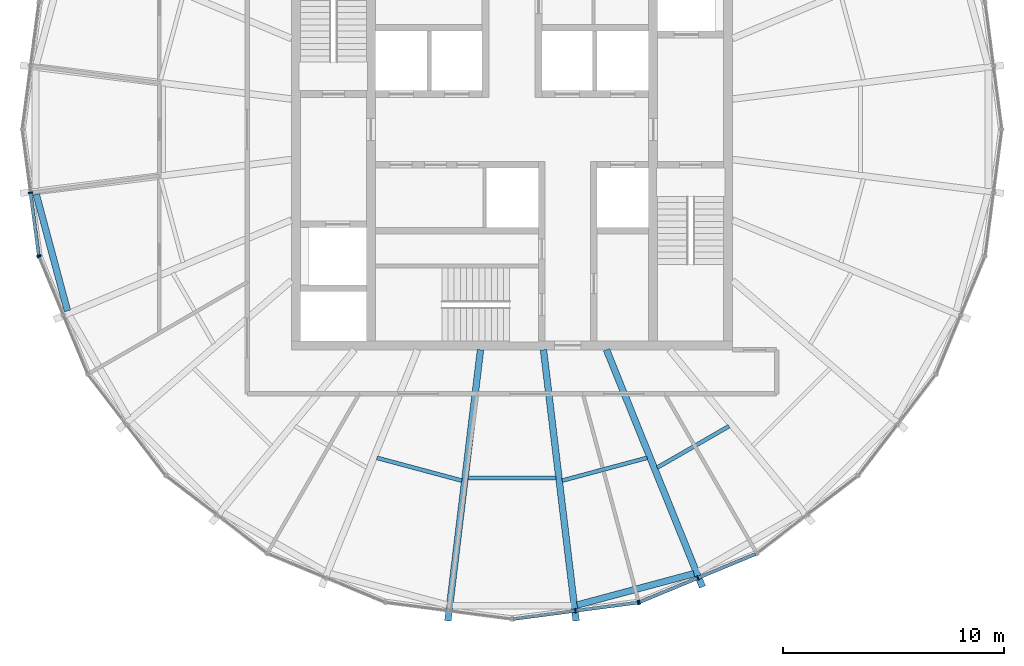
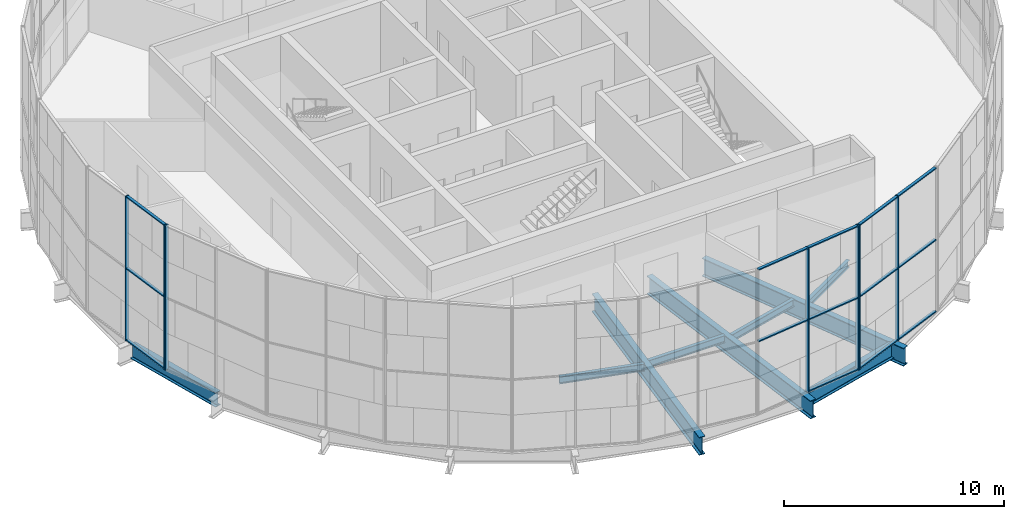
# One storey, part 2 of 19: 21 members, 9 beams, 4 elements without a shape of their own.
"""IFC4 building model written with IfcOpenShell, lengths in metres."""

import ifcopenshell
import ifcopenshell.guid

model = None  # the IFC model being written
_history = None  # IfcOwnerHistory: only IFC2X3 demands one
_inside = {}  # id of a spatial element -> (the spatial element, [elements in it])
_under = {}  # id of a project, library or spatial element -> (it, [spatial elements below it])
_declared = {}  # id of a project -> (the project, [libraries it declares])
_typed = {}  # id of a type object -> (the type object, [elements of that type])
_made_of = {}  # id of a material, layer set ... -> (it, [elements and type objects made of it])


def new_model(schema):
    """Start an empty IFC model of exactly this schema.

    Asked for "IFC4X3", IfcOpenShell would pick the latest addendum, in which some entities
    have other attributes; the version numbers below select the first issue.
    IFC2X3 requires an IfcOwnerHistory on every rooted entity: one is made here for all.
    """
    global model, _history
    if schema == "IFC4X3":
        model = ifcopenshell.file(schema_version=(4, 3, 0, 0))
    else:
        model = ifcopenshell.file(schema=schema)
    _inside.clear()
    _under.clear()
    _declared.clear()
    _typed.clear()
    _made_of.clear()
    _history = None
    if model.schema == "IFC2X3":
        org = make("IfcOrganization", Name="unknown")
        user = make(
            "IfcPersonAndOrganization",
            ThePerson=make("IfcPerson", FamilyName="unknown"),
            TheOrganization=org,
        )
        app = make(
            "IfcApplication",
            ApplicationDeveloper=org,
            Version="unknown",
            ApplicationFullName="unknown",
            ApplicationIdentifier="unknown",
        )
        _history = make(
            "IfcOwnerHistory",
            OwningUser=user,
            OwningApplication=app,
            ChangeAction="ADDED",
            CreationDate=0,
        )
    return model


def make(cls, **values):
    """One entity of the class cls with the attributes given. An attribute that is None is left unset."""
    return model.create_entity(
        cls, **{name: value for name, value in values.items() if value is not None}
    )


def rooted(cls, **values):
    """An entity with a GlobalId (a new one), such as an element, a storey or a relation."""
    return make(cls, GlobalId=ifcopenshell.guid.new(), OwnerHistory=_history, **values)


def si_unit(unit_type, name, prefix=None):
    """IfcSIUnit, for example si_unit("LENGTHUNIT", "METRE", prefix="MILLI")."""
    return make("IfcSIUnit", UnitType=unit_type, Prefix=prefix, Name=name)


def assignment(units):
    """IfcUnitAssignment: the units of a project."""
    return None if units is None else make("IfcUnitAssignment", Units=units)


def point(xyz):
    """IfcCartesianPoint."""
    return None if xyz is None else make("IfcCartesianPoint", Coordinates=xyz)


def direction(xyz):
    """IfcDirection."""
    return None if xyz is None else make("IfcDirection", DirectionRatios=xyz)


def frame(location, z_axis=None, x_axis=None):
    """IfcAxis2Placement3D, a coordinate frame: its origin and axes. An axis left out is left unset."""
    return make(
        "IfcAxis2Placement3D",
        Location=point(location),
        Axis=direction(z_axis),
        RefDirection=direction(x_axis),
    )


def frame_2d(location, x_axis=None):
    """IfcAxis2Placement2D, a coordinate frame in the plane: its origin and x axis."""
    return make(
        "IfcAxis2Placement2D", Location=point(location), RefDirection=direction(x_axis)
    )


def origin():
    """The frame at (0, 0, 0) with its axes left unset."""
    return frame((0.0, 0.0, 0.0))


def origin_2d():
    """The frame at (0, 0) in the plane with its x axis left unset."""
    return frame_2d((0.0, 0.0))


def place(relative_to, where):
    """IfcLocalPlacement: puts the frame where relative to a parent placement (None: the world)."""
    return make(
        "IfcLocalPlacement", PlacementRelTo=relative_to, RelativePlacement=where
    )


def context(
    kind, dimensions, precision=None, world=None, true_north=None, identifier=None
):
    """IfcGeometricRepresentationContext, for example the 3D "Model" context."""
    return make(
        "IfcGeometricRepresentationContext",
        ContextIdentifier=identifier,
        ContextType=kind,
        CoordinateSpaceDimension=dimensions,
        Precision=precision,
        WorldCoordinateSystem=world,
        TrueNorth=true_north,
    )


def subcontext(parent, identifier, kind, view, scale=None):
    """IfcGeometricRepresentationSubContext, for example "Body" below "Model"."""
    return make(
        "IfcGeometricRepresentationSubContext",
        ContextIdentifier=identifier,
        ContextType=kind,
        ParentContext=parent,
        TargetScale=scale,
        TargetView=view,
    )


def project(units=None, contexts=None):
    """IfcProject with its units and contexts."""
    return rooted(
        "IfcProject",
        Name="project",
        RepresentationContexts=contexts,
        UnitsInContext=assignment(units),
    )


def spatial(cls, under=None, at=None, **own):
    """A site, building, storey or space (cls), placed at a placement, below another one or the project."""
    s = rooted(cls, ObjectPlacement=at, **own)
    if under is not None:
        _under.setdefault(under.id(), (under, []))[1].append(s)
    return s


def profile(cls, at=None, kind="AREA", **sizes):
    """A parametric profile (cls). Its sizes go by their IFC names, for example OverallWidth=200.0."""
    return make(cls, ProfileType=kind, Position=at, **sizes)


def rectangle(**sizes):
    """IfcRectangleProfileDef."""
    return profile("IfcRectangleProfileDef", **sizes)


def i_section(**sizes):
    """IfcIShapeProfileDef."""
    return profile("IfcIShapeProfileDef", **sizes)


def extrude(swept, where, along, depth):
    """IfcExtrudedAreaSolid: the profile swept, set in the frame where, extruded along a direction by depth."""
    return make(
        "IfcExtrudedAreaSolid",
        SweptArea=swept,
        Position=where,
        ExtrudedDirection=direction(along),
        Depth=depth,
    )


def shape(context_of_items, identifier, shape_type, items):
    """IfcShapeRepresentation: the items that make up one representation, for example the "Body"."""
    return make(
        "IfcShapeRepresentation",
        ContextOfItems=context_of_items,
        RepresentationIdentifier=identifier,
        RepresentationType=shape_type,
        Items=items,
    )


def material(Name=None, Category=None):
    """IfcMaterial."""
    return make("IfcMaterial", Name=Name, Category=Category)


def material_profile(
    of_material, cross_section, Name=None, Category=None, Priority=None
):
    """IfcMaterialProfile: a cross section and its material."""
    return make(
        "IfcMaterialProfile",
        Name=Name,
        Material=of_material,
        Profile=cross_section,
        Priority=Priority,
        Category=Category,
    )


def profile_set(profiles, Name=None, composite=None):
    """IfcMaterialProfileSet."""
    return make(
        "IfcMaterialProfileSet",
        Name=Name,
        MaterialProfiles=profiles,
        CompositeProfile=composite,
    )


def made_of(thing, what):
    """Note that an element or type object is made of a material, layer set ...; save() writes the relation."""
    if what is not None:
        _made_of.setdefault(what.id(), (what, []))[1].append(thing)
    return thing


def type_object(cls, material=None, **own):
    """A type object (cls), such as IfcWallType, which elements share."""
    return made_of(rooted(cls, **own), material)


def element(
    cls,
    number,
    at=None,
    inside=None,
    cuts=None,
    type_object=None,
    material=None,
    context=None,
    identifier="Body",
    shape_type=None,
    held_by="IfcProductDefinitionShape",
    body=None,
    shapes=None,
    **own,
):
    """One element of the class cls, such as IfcWall. Its Tag is "e" and its number.

    at: its placement. inside: the storey or other place that contains it. cuts: it is an
    opening in that element (IfcRelVoidsElement). A single representation is given by context,
    identifier, shape_type and body (its items); several are given by shapes. held_by: the class
    of the entity that holds the representations. save() writes the other relations.
    """
    e = rooted(cls, Tag="e%d" % number, ObjectPlacement=at, **own)
    if body is not None:
        shapes = [shape(context, identifier, shape_type, body)]
    if shapes is not None:
        e.Representation = make(held_by, Representations=shapes)
    if inside is not None:
        _inside.setdefault(inside.id(), (inside, []))[1].append(e)
    if cuts is not None:
        rooted(
            "IfcRelVoidsElement", RelatingBuildingElement=cuts, RelatedOpeningElement=e
        )
    if type_object is not None:
        _typed.setdefault(type_object.id(), (type_object, []))[1].append(e)
    return made_of(e, material)


def aggregate(whole, parts):
    """IfcRelAggregates: a whole, such as a stair, and the parts it consists of."""
    return rooted("IfcRelAggregates", RelatingObject=whole, RelatedObjects=parts)


def save(model, path):
    """Write the relations noted so far, then the file.

    IfcRelAggregates (storeys below a building ...), IfcRelContainedInSpatialStructure (elements
    in a storey), IfcRelDefinesByType, IfcRelAssociatesMaterial and IfcRelDeclares: one each for
    every whole, place, type object, material and project.
    """
    for whole, parts in _under.values():
        aggregate(whole, parts)
    for where, things in _inside.values():
        rooted(
            "IfcRelContainedInSpatialStructure",
            RelatedElements=things,
            RelatingStructure=where,
        )
    for kind, things in _typed.values():
        rooted("IfcRelDefinesByType", RelatedObjects=things, RelatingType=kind)
    for what, things in _made_of.values():
        rooted("IfcRelAssociatesMaterial", RelatedObjects=things, RelatingMaterial=what)
    for by, libraries in _declared.values():
        rooted("IfcRelDeclares", RelatingContext=by, RelatedDefinitions=libraries)
    model.write(path)


model = new_model("IFC4")

# Units and contexts
model_context = context("Model", 3, precision=1e-05, world=origin(), true_north=direction((0.0, 1.0)))
body_context = subcontext(model_context, "Body", "Model", "MODEL_VIEW")
ifc_project = project(units=[si_unit("LENGTHUNIT", "METRE"), si_unit("AREAUNIT", "SQUARE_METRE"), si_unit("VOLUMEUNIT", "CUBIC_METRE"), si_unit("PLANEANGLEUNIT", "RADIAN"), si_unit("MASSUNIT", "GRAM", prefix="KILO")], contexts=[model_context])

# Site, building, storey
site_placement = place(None, origin())
site = spatial("IfcSite", under=ifc_project, at=site_placement, CompositionType="ELEMENT")
building_placement = place(site_placement, origin())
building = spatial("IfcBuilding", under=site, at=building_placement, Name="Golbaran Civic Tower", CompositionType="ELEMENT")
storey_placement = place(building_placement, frame((0.0, 0.0, 256.0)))
storey = spatial("IfcBuildingStorey", under=building, at=storey_placement, Name="L62", CompositionType="ELEMENT", Elevation=256.0)

# Beams
ifc_material_1 = material(Name="Steel S355", Category="steel")
ifc_material_profile_1 = material_profile(ifc_material_1, i_section(OverallWidth=0.300048828125, OverallDepth=0.800048828125, WebThickness=0.017578125, FlangeThickness=0.032958984375, FilletRadius=0.030029296875, at=origin_2d()), Name="HEB 800")
ifc_profile_set_1 = profile_set([ifc_material_profile_1], Name="Steel S355")
beam_type_1 = type_object("IfcBeamType", Name="EDGE BEAM HEB 800", PredefinedType="BEAM", material=ifc_profile_set_1)
beam_1_placement = place(storey_placement, frame((-21.57568359375, -2.94775390625, -0.60009765625), z_axis=(0.258897277861, -0.965904860489, 0.0), x_axis=(0.965904860489, 0.258897277861, 0.0)))
element("IfcBeam", 1, at=beam_1_placement, inside=storey, type_object=beam_type_1, Name="Edge beam 187.42 L62", PredefinedType="BEAM", context=body_context, shape_type="SweptSolid", body=[
    extrude(i_section(OverallWidth=0.300048828125, OverallDepth=0.800048828125, WebThickness=0.017578125, FlangeThickness=0.032958984375, FilletRadius=0.030029296875, at=origin_2d()), origin(), (0.0, 0.0, 1.0), 5.47607421875),
])
beam_2_placement = place(storey_placement, frame((2.953125, -21.574951171875, -0.60009765625), z_axis=(0.965784409485, 0.259346244228, 0.0), x_axis=(-0.259346244228, 0.965784409485, 0.0)))
element("IfcBeam", 2, at=beam_2_placement, inside=storey, type_object=beam_type_1, Name="Edge beam 277.42 L62", PredefinedType="BEAM", context=body_context, shape_type="SweptSolid", body=[
    extrude(i_section(OverallWidth=0.300048828125, OverallDepth=0.800048828125, WebThickness=0.017578125, FlangeThickness=0.032958984375, FilletRadius=0.030029296875, at=origin_2d()), origin(), (0.0, 0.0, 1.0), 5.486328125),
])
ifc_material_profile_2 = material_profile(ifc_material_1, i_section(OverallWidth=0.179931640625, OverallDepth=0.39990234375, WebThickness=0.008544921875, FlangeThickness=0.013427734375, FilletRadius=0.02099609375, at=origin_2d()), Name="IPE 400")
ifc_profile_set_2 = profile_set([ifc_material_profile_2], Name="Steel S355")
beam_type_2 = type_object("IfcBeamType", Name="FLOOR INFILL BEAM IPE 400", PredefinedType="BEAM", material=ifc_profile_set_2)
beam_3_placement = place(storey_placement, frame((-6.127197265625, -14.8994140625, -0.39990234375), z_axis=(0.965915270018, -0.25885843843, 0.0), x_axis=(0.25885843843, 0.965915270018, 0.0)))
element("IfcBeam", 3, at=beam_3_placement, inside=storey, type_object=beam_type_2, Name="Infill beam 255.00 L62", PredefinedType="BEAM", context=body_context, shape_type="SweptSolid", body=[
    extrude(i_section(OverallWidth=0.179931640625, OverallDepth=0.39990234375, WebThickness=0.008544921875, FlangeThickness=0.013427734375, FilletRadius=0.02099609375, at=origin_2d()), origin(), (0.0, 0.0, 1.0), 3.989501953125),
])
beam_4_placement = place(storey_placement, frame((-1.99658203125, -15.804443359375, -0.39990234375), z_axis=(1.0, 0.0, 0.0), x_axis=(0.0, 1.0, 0.0)))
element("IfcBeam", 4, at=beam_4_placement, inside=storey, type_object=beam_type_2, Name="Infill beam 270.00 L62", PredefinedType="BEAM", context=body_context, shape_type="SweptSolid", body=[
    extrude(i_section(OverallWidth=0.179931640625, OverallDepth=0.39990234375, WebThickness=0.008544921875, FlangeThickness=0.013427734375, FilletRadius=0.02099609375, at=origin_2d()), origin(), (0.0, 0.0, 1.0), 3.9931640625),
])
beam_5_placement = place(storey_placement, frame((2.273681640625, -15.93212890625, -0.39990234375), z_axis=(0.965915270018, 0.25885843843, 0.0), x_axis=(-0.25885843843, 0.965915270018, 0.0)))
element("IfcBeam", 5, at=beam_5_placement, inside=storey, type_object=beam_type_2, Name="Infill beam 285.00 L62", PredefinedType="BEAM", context=body_context, shape_type="SweptSolid", body=[
    extrude(i_section(OverallWidth=0.179931640625, OverallDepth=0.39990234375, WebThickness=0.008544921875, FlangeThickness=0.013427734375, FilletRadius=0.02099609375, at=origin_2d()), origin(), (0.0, 0.0, 1.0), 3.989501953125),
])
beam_6_placement = place(storey_placement, frame((6.5869140625, -15.342529296875, -0.39990234375), z_axis=(0.86603400694, 0.499985098601, 0.0), x_axis=(-0.499985098601, 0.86603400694, 0.0)))
element("IfcBeam", 6, at=beam_6_placement, inside=storey, type_object=beam_type_2, Name="Infill beam 300.00 L62", PredefinedType="BEAM", context=body_context, shape_type="SweptSolid", body=[
    extrude(i_section(OverallWidth=0.179931640625, OverallDepth=0.39990234375, WebThickness=0.008544921875, FlangeThickness=0.013427734375, FilletRadius=0.02099609375, at=origin_2d()), origin(), (0.0, 0.0, 1.0), 3.7548828125),
])

# Curtain wall, members
ifc_material_2 = material(Name="Aluminium and glass", Category="aluminium")
curtain_wall_type = type_object("IfcCurtainWallType", Name="INNER SKIN CURTAIN WALL EXECUTIVE", PredefinedType="NOTDEFINED", material=ifc_material_2)
curtain_wall_1_placement = place(storey_placement, origin())
curtain_wall_1 = element("IfcCurtainWall", 7, at=curtain_wall_1_placement, inside=storey, type_object=curtain_wall_type, Name="Inner skin L62 facet 13 CW2", ObjectType="INNER SKIN", PredefinedType="USERDEFINED")
ifc_material_3 = material(Name="Aluminium", Category="aluminium")
ifc_material_profile_3 = material_profile(ifc_material_3, rectangle(XDim=0.199951171875, YDim=0.06005859375, at=origin_2d()), Name="INNER SKIN CURTAIN WALL EXECUTIVE MULLION")
ifc_profile_set_3 = profile_set([ifc_material_profile_3], Name="Aluminium")
member_type_1 = type_object("IfcMemberType", Name="INNER SKIN CURTAIN WALL EXECUTIVE MULLION", PredefinedType="MULLION", material=ifc_profile_set_3)
member_1_placement = place(storey_placement, frame((-21.83447265625, -2.87451171875, 0.0), z_axis=(0.0, 0.0, 1.0), x_axis=(0.991444861367, 0.130526192272, 0.0)))
member_1 = element("IfcMember", 8, at=member_1_placement, type_object=member_type_1, Name="CW2 mullion 2", PredefinedType="MULLION", context=body_context, shape_type="SweptSolid", body=[
    extrude(rectangle(XDim=0.199951171875, YDim=0.06005859375, at=origin_2d()), origin(), (0.0, 0.0, 1.0), 8.0),
])
member_2_placement = place(storey_placement, frame((-21.4599609375, -5.719482421875, 0.0), z_axis=(0.0, 0.0, 1.0), x_axis=(0.991444861367, 0.130526192272, 0.0)))
member_2 = element("IfcMember", 9, at=member_2_placement, type_object=member_type_1, Name="CW2 mullion 3", PredefinedType="MULLION", context=body_context, shape_type="SweptSolid", body=[
    extrude(rectangle(XDim=0.199951171875, YDim=0.06005859375, at=origin_2d()), origin(), (0.0, 0.0, 1.0), 8.0),
])

# Curtain wall, member
curtain_wall_2_placement = place(storey_placement, origin())
curtain_wall_2 = element("IfcCurtainWall", 10, at=curtain_wall_2_placement, inside=storey, type_object=curtain_wall_type, Name="Inner skin L62 facet 14 CW2", ObjectType="INNER SKIN", PredefinedType="USERDEFINED")
member_3_placement = place(storey_placement, frame((-21.444580078125, -5.77685546875, 0.0), z_axis=(0.0, 0.0, 1.0), x_axis=(0.923879532511, 0.382683432365, 0.0)))
member_3 = element("IfcMember", 11, at=member_3_placement, type_object=member_type_1, Name="CW2 mullion 1", PredefinedType="MULLION", context=body_context, shape_type="SweptSolid", body=[
    extrude(rectangle(XDim=0.199951171875, YDim=0.06005859375, at=origin_2d()), origin(), (0.0, 0.0, 1.0), 8.0),
])
aggregate(curtain_wall_2, [member_3])

# Curtain wall, members
curtain_wall_3_placement = place(storey_placement, origin())
curtain_wall_3 = element("IfcCurtainWall", 12, at=curtain_wall_3_placement, inside=storey, type_object=curtain_wall_type, Name="Inner skin L62 facet 19 CW2", ObjectType="INNER SKIN", PredefinedType="USERDEFINED")
member_4_placement = place(storey_placement, frame((2.87451171875, -21.83447265625, 0.0), z_axis=(0.0, 0.0, 1.0), x_axis=(-0.130526192272, 0.991444861367, 0.0)))
member_4 = element("IfcMember", 13, at=member_4_placement, type_object=member_type_1, Name="CW2 mullion 2", PredefinedType="MULLION", context=body_context, shape_type="SweptSolid", body=[
    extrude(rectangle(XDim=0.199951171875, YDim=0.06005859375, at=origin_2d()), origin(), (0.0, 0.0, 1.0), 8.0),
])
member_5_placement = place(storey_placement, frame((5.719482421875, -21.4599609375, 0.0), z_axis=(0.0, 0.0, 1.0), x_axis=(-0.130526192272, 0.991444861367, 0.0)))
member_5 = element("IfcMember", 14, at=member_5_placement, type_object=member_type_1, Name="CW2 mullion 3", PredefinedType="MULLION", context=body_context, shape_type="SweptSolid", body=[
    extrude(rectangle(XDim=0.199951171875, YDim=0.06005859375, at=origin_2d()), origin(), (0.0, 0.0, 1.0), 8.0),
])

curtain_wall_4_placement = place(storey_placement, origin())
curtain_wall_4 = element("IfcCurtainWall", 15, at=curtain_wall_4_placement, inside=storey, type_object=curtain_wall_type, Name="Inner skin L62 facet 20 CW2", ObjectType="INNER SKIN", PredefinedType="USERDEFINED")
member_6_placement = place(storey_placement, frame((5.77685546875, -21.444580078125, 0.0), z_axis=(0.0, 0.0, 1.0), x_axis=(-0.382683432365, 0.923879532511, 0.0)))
member_6 = element("IfcMember", 16, at=member_6_placement, type_object=member_type_1, Name="CW2 mullion 1", PredefinedType="MULLION", context=body_context, shape_type="SweptSolid", body=[
    extrude(rectangle(XDim=0.199951171875, YDim=0.06005859375, at=origin_2d()), origin(), (0.0, 0.0, 1.0), 8.0),
])
member_7_placement = place(storey_placement, frame((8.427734375, -20.3466796875, 0.0), z_axis=(0.0, 0.0, 1.0), x_axis=(-0.382683432365, 0.923879532511, 0.0)))
member_7 = element("IfcMember", 17, at=member_7_placement, type_object=member_type_1, Name="CW2 mullion 2", PredefinedType="MULLION", context=body_context, shape_type="SweptSolid", body=[
    extrude(rectangle(XDim=0.199951171875, YDim=0.06005859375, at=origin_2d()), origin(), (0.0, 0.0, 1.0), 8.0),
])

# Member
ifc_material_profile_4 = material_profile(ifc_material_3, rectangle(XDim=0.14990234375, YDim=0.06005859375, at=origin_2d()), Name="INNER SKIN CURTAIN WALL EXECUTIVE TRANSOM")
ifc_profile_set_4 = profile_set([ifc_material_profile_4], Name="Aluminium")
member_type_2 = type_object("IfcMemberType", Name="INNER SKIN CURTAIN WALL EXECUTIVE TRANSOM", PredefinedType="USERDEFINED", material=ifc_profile_set_4)
member_8_placement = place(storey_placement, frame((-21.83056640625, -2.904296875, 0.030029296875), z_axis=(0.130524198098, -0.991445123903, 0.0), x_axis=(0.991445123903, 0.130524198098, 0.0)))
member_8 = element("IfcMember", 18, at=member_8_placement, type_object=member_type_2, Name="CW2 transom 2.1", ObjectType="TRANSOM", PredefinedType="USERDEFINED", context=body_context, shape_type="SweptSolid", body=[
    extrude(rectangle(XDim=0.14990234375, YDim=0.06005859375, at=origin_2d()), origin(), (0.0, 0.0, 1.0), 2.809326171875),
])

member_9_placement = place(storey_placement, frame((-21.83056640625, -2.904296875, 4.0), z_axis=(0.130524198098, -0.991445123903, 0.0), x_axis=(0.991445123903, 0.130524198098, 0.0)))
member_9 = element("IfcMember", 19, at=member_9_placement, type_object=member_type_2, Name="CW2 transom 2.2", ObjectType="TRANSOM", PredefinedType="USERDEFINED", context=body_context, shape_type="SweptSolid", body=[
    extrude(rectangle(XDim=0.14990234375, YDim=0.06005859375, at=origin_2d()), origin(), (0.0, 0.0, 1.0), 2.809326171875),
])

member_10_placement = place(storey_placement, frame((-21.83056640625, -2.904296875, 7.969970703125), z_axis=(0.130524198098, -0.991445123903, 0.0), x_axis=(0.991445123903, 0.130524198098, 0.0)))
member_10 = element("IfcMember", 20, at=member_10_placement, type_object=member_type_2, Name="CW2 transom 2.3", ObjectType="TRANSOM", PredefinedType="USERDEFINED", context=body_context, shape_type="SweptSolid", body=[
    extrude(rectangle(XDim=0.14990234375, YDim=0.06005859375, at=origin_2d()), origin(), (0.0, 0.0, 1.0), 2.809326171875),
])

aggregate(curtain_wall_1, [member_1, member_2, member_8, member_9, member_10])

member_11_placement = place(storey_placement, frame((0.0595703125, -22.205078125, 4.0), z_axis=(0.991443643229, 0.130535444612, 0.0), x_axis=(-0.130535444612, 0.991443643229, 0.0)))
member_11 = element("IfcMember", 21, at=member_11_placement, type_object=member_type_2, Name="CW2 transom 1.2", ObjectType="TRANSOM", PredefinedType="USERDEFINED", context=body_context, shape_type="SweptSolid", body=[
    extrude(rectangle(XDim=0.14990234375, YDim=0.06005859375, at=origin_2d()), origin(), (0.0, 0.0, 1.0), 2.80908203125),
])

member_12_placement = place(storey_placement, frame((0.0595703125, -22.205078125, 7.969970703125), z_axis=(0.991443643229, 0.130535444612, 0.0), x_axis=(-0.130535444612, 0.991443643229, 0.0)))
member_12 = element("IfcMember", 22, at=member_12_placement, type_object=member_type_2, Name="CW2 transom 1.3", ObjectType="TRANSOM", PredefinedType="USERDEFINED", context=body_context, shape_type="SweptSolid", body=[
    extrude(rectangle(XDim=0.14990234375, YDim=0.06005859375, at=origin_2d()), origin(), (0.0, 0.0, 1.0), 2.80908203125),
])

member_13_placement = place(storey_placement, frame((2.904296875, -21.83056640625, 0.030029296875), z_axis=(0.991445123903, 0.130524198098, 0.0), x_axis=(-0.130524198098, 0.991445123903, 0.0)))
member_13 = element("IfcMember", 23, at=member_13_placement, type_object=member_type_2, Name="CW2 transom 2.1", ObjectType="TRANSOM", PredefinedType="USERDEFINED", context=body_context, shape_type="SweptSolid", body=[
    extrude(rectangle(XDim=0.14990234375, YDim=0.06005859375, at=origin_2d()), origin(), (0.0, 0.0, 1.0), 2.809326171875),
])

member_14_placement = place(storey_placement, frame((2.904296875, -21.83056640625, 4.0), z_axis=(0.991445123903, 0.130524198098, 0.0), x_axis=(-0.130524198098, 0.991445123903, 0.0)))
member_14 = element("IfcMember", 24, at=member_14_placement, type_object=member_type_2, Name="CW2 transom 2.2", ObjectType="TRANSOM", PredefinedType="USERDEFINED", context=body_context, shape_type="SweptSolid", body=[
    extrude(rectangle(XDim=0.14990234375, YDim=0.06005859375, at=origin_2d()), origin(), (0.0, 0.0, 1.0), 2.809326171875),
])

member_15_placement = place(storey_placement, frame((2.904296875, -21.83056640625, 7.969970703125), z_axis=(0.991445123903, 0.130524198098, 0.0), x_axis=(-0.130524198098, 0.991445123903, 0.0)))
member_15 = element("IfcMember", 25, at=member_15_placement, type_object=member_type_2, Name="CW2 transom 2.3", ObjectType="TRANSOM", PredefinedType="USERDEFINED", context=body_context, shape_type="SweptSolid", body=[
    extrude(rectangle(XDim=0.14990234375, YDim=0.06005859375, at=origin_2d()), origin(), (0.0, 0.0, 1.0), 2.809326171875),
])

aggregate(curtain_wall_3, [member_4, member_5, member_11, member_12, member_13, member_14, member_15])

member_16_placement = place(storey_placement, frame((5.8046875, -21.43310546875, 0.030029296875), z_axis=(0.923895029293, 0.382646017682, 0.0), x_axis=(-0.382646017682, 0.923895029293, 0.0)))
member_16 = element("IfcMember", 26, at=member_16_placement, type_object=member_type_2, Name="CW2 transom 1.1", ObjectType="TRANSOM", PredefinedType="USERDEFINED", context=body_context, shape_type="SweptSolid", body=[
    extrude(rectangle(XDim=0.14990234375, YDim=0.06005859375, at=origin_2d()), origin(), (0.0, 0.0, 1.0), 2.809326171875),
])

member_17_placement = place(storey_placement, frame((5.8046875, -21.43310546875, 4.0), z_axis=(0.923895029293, 0.382646017682, 0.0), x_axis=(-0.382646017682, 0.923895029293, 0.0)))
member_17 = element("IfcMember", 27, at=member_17_placement, type_object=member_type_2, Name="CW2 transom 1.2", ObjectType="TRANSOM", PredefinedType="USERDEFINED", context=body_context, shape_type="SweptSolid", body=[
    extrude(rectangle(XDim=0.14990234375, YDim=0.06005859375, at=origin_2d()), origin(), (0.0, 0.0, 1.0), 2.809326171875),
])

member_18_placement = place(storey_placement, frame((5.8046875, -21.43310546875, 7.969970703125), z_axis=(0.923895029293, 0.382646017682, 0.0), x_axis=(-0.382646017682, 0.923895029293, 0.0)))
member_18 = element("IfcMember", 28, at=member_18_placement, type_object=member_type_2, Name="CW2 transom 1.3", ObjectType="TRANSOM", PredefinedType="USERDEFINED", context=body_context, shape_type="SweptSolid", body=[
    extrude(rectangle(XDim=0.14990234375, YDim=0.06005859375, at=origin_2d()), origin(), (0.0, 0.0, 1.0), 2.809326171875),
])

member_19_placement = place(storey_placement, frame((8.45556640625, -20.335205078125, 0.030029296875), z_axis=(0.923864304003, 0.382720195168, 0.0), x_axis=(-0.382720195168, 0.923864304003, 0.0)))
member_19 = element("IfcMember", 29, at=member_19_placement, type_object=member_type_2, Name="CW2 transom 2.1", ObjectType="TRANSOM", PredefinedType="USERDEFINED", context=body_context, shape_type="SweptSolid", body=[
    extrude(rectangle(XDim=0.14990234375, YDim=0.06005859375, at=origin_2d()), origin(), (0.0, 0.0, 1.0), 2.809326171875),
])

member_20_placement = place(storey_placement, frame((8.45556640625, -20.335205078125, 4.0), z_axis=(0.923864304003, 0.382720195168, 0.0), x_axis=(-0.382720195168, 0.923864304003, 0.0)))
member_20 = element("IfcMember", 30, at=member_20_placement, type_object=member_type_2, Name="CW2 transom 2.2", ObjectType="TRANSOM", PredefinedType="USERDEFINED", context=body_context, shape_type="SweptSolid", body=[
    extrude(rectangle(XDim=0.14990234375, YDim=0.06005859375, at=origin_2d()), origin(), (0.0, 0.0, 1.0), 2.809326171875),
])

member_21_placement = place(storey_placement, frame((8.45556640625, -20.335205078125, 7.969970703125), z_axis=(0.923864304003, 0.382720195168, 0.0), x_axis=(-0.382720195168, 0.923864304003, 0.0)))
member_21 = element("IfcMember", 31, at=member_21_placement, type_object=member_type_2, Name="CW2 transom 2.3", ObjectType="TRANSOM", PredefinedType="USERDEFINED", context=body_context, shape_type="SweptSolid", body=[
    extrude(rectangle(XDim=0.14990234375, YDim=0.06005859375, at=origin_2d()), origin(), (0.0, 0.0, 1.0), 2.809326171875),
])

aggregate(curtain_wall_4, [member_6, member_7, member_16, member_17, member_18, member_19, member_20, member_21])

# Beams
ifc_material_profile_5 = material_profile(ifc_material_1, i_section(OverallWidth=0.300048828125, OverallDepth=1.0, WebThickness=0.01904296875, FlangeThickness=0.035888671875, FilletRadius=0.030029296875, at=origin_2d()), Name="HEB 1000")
ifc_profile_set_5 = profile_set([ifc_material_profile_5], Name="Steel S355")
beam_type_3 = type_object("IfcBeamType", Name="RADIAL FLOOR BEAM HEB 1000", PredefinedType="BEAM", material=ifc_profile_set_5)
for number, where, z_axis, x_axis, name in (
    (32, (-1.428466796875, -10.0, -0.7099609375), (-0.119545686432, -0.992828700661, 0.0), (0.992828700661, -0.119545686432, 0.0), "Radial beam 262.58 L62"),
    (33, (1.428466796875, -10.0, -0.7099609375), (0.119545686432, -0.992828700661, 0.0), (0.992828700661, 0.119545686432, 0.0), "Radial beam 277.42 L62"),
):
    element("IfcBeam", number, at=place(storey_placement, frame(where, z_axis=z_axis, x_axis=x_axis)), inside=storey, type_object=beam_type_3, Name=name, PredefinedType="BEAM", context=body_context, shape_type="SweptSolid", body=[
        extrude(i_section(OverallWidth=0.300048828125, OverallDepth=1.0, WebThickness=0.01904296875, FlangeThickness=0.035888671875, FilletRadius=0.030029296875, at=origin_2d()), origin(), (0.0, 0.0, 1.0), 12.380126953125),
    ])
beam_7_placement = place(storey_placement, frame((4.28564453125, -10.0, -0.7099609375), z_axis=(0.374972341927, -0.927035998648, 0.0), x_axis=(0.927035998648, 0.374972341927, 0.0)))
element("IfcBeam", 34, at=beam_7_placement, inside=storey, type_object=beam_type_3, Name="Radial beam 292.58 L62", PredefinedType="BEAM", context=body_context, shape_type="SweptSolid", body=[
    extrude(i_section(OverallWidth=0.300048828125, OverallDepth=1.0, WebThickness=0.01904296875, FlangeThickness=0.035888671875, FilletRadius=0.030029296875, at=origin_2d()), origin(), (0.0, 0.0, 1.0), 11.6025390625),
])

save(model, "model.ifc")
